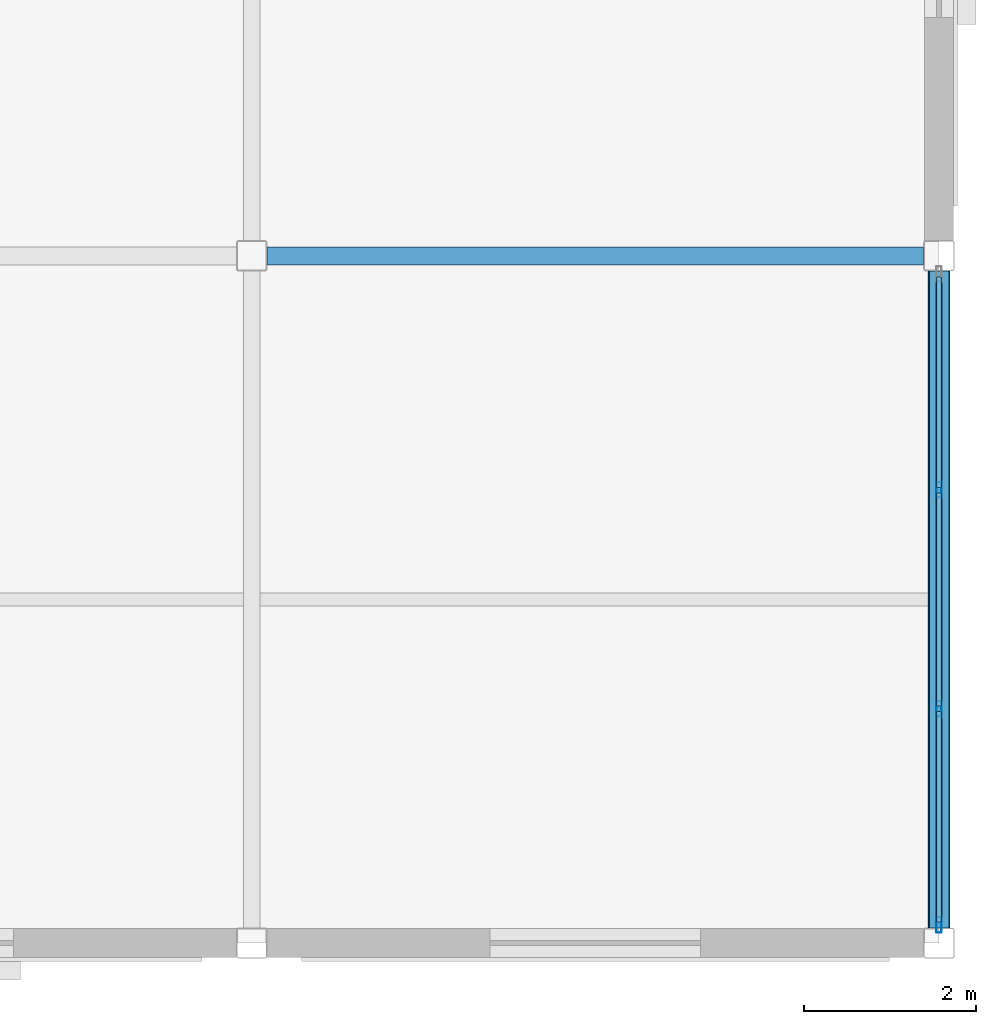
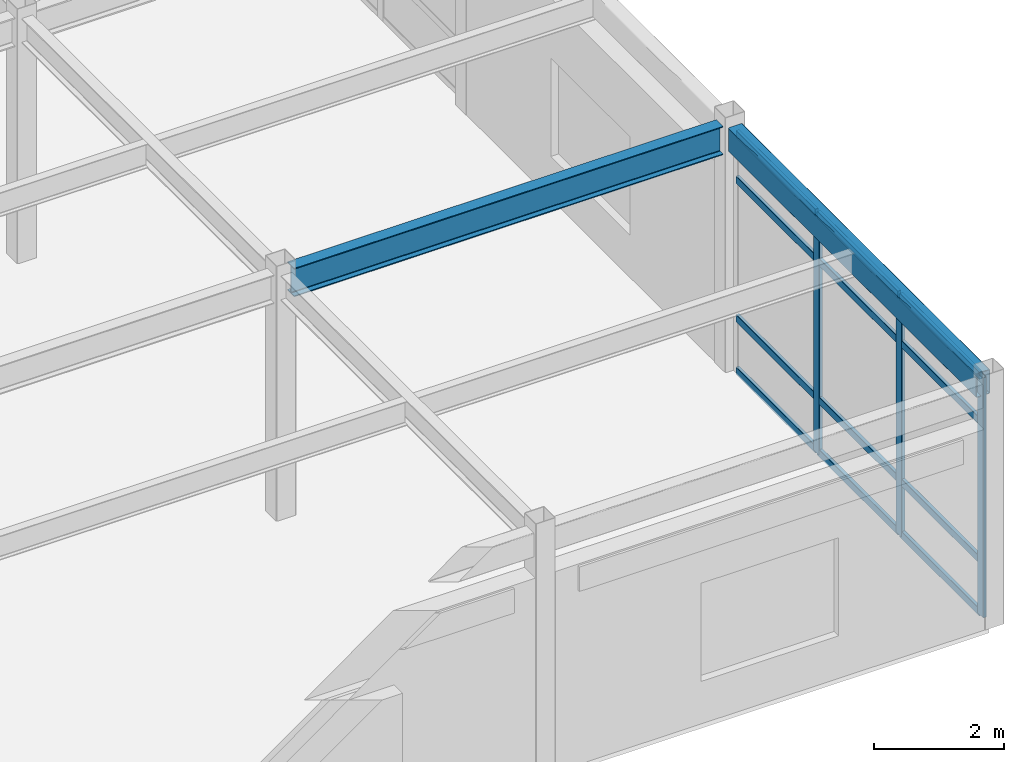
# One storey, part 68 of 117: 15 members, 2 beams, 1 element without a shape of its own.
"""IFC4 building model written with IfcOpenShell, lengths in metres."""

from ifc_helpers import new_model, si_unit, direction, frame, origin, origin_2d, place, context, subcontext, project, spatial, hollow_rectangle, i_section, extrude, material, material_profile, profile_set, type_object, element, aggregate, save


model = new_model("IFC4")

# Units and contexts
model_context = context("Model", 3, precision=1e-05, world=origin(), true_north=direction((0.0, 1.0)))
body_context = subcontext(model_context, "Body", "Model", "MODEL_VIEW")
ifc_project = project(units=[si_unit("LENGTHUNIT", "METRE"), si_unit("AREAUNIT", "SQUARE_METRE"), si_unit("VOLUMEUNIT", "CUBIC_METRE"), si_unit("PLANEANGLEUNIT", "RADIAN"), si_unit("MASSUNIT", "GRAM", prefix="KILO")], contexts=[model_context])

# Site, building, storey
site_placement = place(None, origin())
site = spatial("IfcSite", under=ifc_project, at=site_placement, CompositionType="ELEMENT")
building_placement = place(site_placement, origin())
building = spatial("IfcBuilding", under=site, at=building_placement, Name="Solmirada Galleria", CompositionType="ELEMENT")
storey_placement = place(building_placement, frame((0.0, 0.0, 5.60009765625)))
storey = spatial("IfcBuildingStorey", under=building, at=storey_placement, Name="L01", CompositionType="ELEMENT", Elevation=5.60009765625)

# Beams
ifc_material_1 = material(Name="Steel S355 / ASTM A992 Grade 50", Category="steel")
ifc_material_profile_1 = material_profile(ifc_material_1, i_section(OverallWidth=0.2099609375, OverallDepth=0.537109375, WebThickness=0.010986328125, FlangeThickness=0.017333984375, FilletRadius=0.014892578125, at=origin_2d()), Name="W21X68")
ifc_profile_set_1 = profile_set([ifc_material_profile_1], Name="Steel S355 / ASTM A992 Grade 50")
beam_type_1 = type_object("IfcBeamType", Name="BM-GIRD-W21B", PredefinedType="BEAM", material=ifc_profile_set_1)
beam_1_placement = place(storey_placement, frame((168.177978515625, 8.0, 4.331298828125), z_axis=(1.0, 0.0, 0.0), x_axis=(0.0, 1.0, 0.0)))
element("IfcBeam", 1, at=beam_1_placement, inside=storey, type_object=beam_type_1, Name="Primary beam L02 X(168..176, 8)", PredefinedType="BEAM", context=body_context, shape_type="SweptSolid", body=[
    extrude(i_section(OverallWidth=0.2099609375, OverallDepth=0.537109375, WebThickness=0.010986328125, FlangeThickness=0.017333984375, FilletRadius=0.014892578125, at=origin_2d()), origin(), (0.0, 0.0, 1.0), 7.64404296875),
])
ifc_material_2 = material(Name="Steel S355 / ASTM A500 Grade C", Category="steel")
ifc_material_profile_2 = material_profile(ifc_material_2, hollow_rectangle(XDim=0.25390625, YDim=0.45703125, WallThickness=0.01171875, InnerFilletRadius=0.01171875, OuterFilletRadius=0.023681640625, at=origin_2d()), Name="HSS18X10X1/2")
ifc_profile_set_2 = profile_set([ifc_material_profile_2], Name="Steel S355 / ASTM A500 Grade C")
beam_type_2 = type_object("IfcBeamType", Name="BM-SPAND-W18", PredefinedType="SPANDREL", material=ifc_profile_set_2)
beam_2_placement = place(storey_placement, frame((176.0, 0.177978515625, 4.371337890625), z_axis=(0.0, 1.0, 0.0), x_axis=(-1.0, 0.0, 0.0)))
element("IfcBeam", 2, at=beam_2_placement, inside=storey, type_object=beam_type_2, Name="Primary girder L02 Y(176, 0..8)", PredefinedType="SPANDREL", context=body_context, shape_type="SweptSolid", body=[
    extrude(hollow_rectangle(XDim=0.25390625, YDim=0.45703125, WallThickness=0.01171875, InnerFilletRadius=0.01171875, OuterFilletRadius=0.023681640625, at=origin_2d()), origin(), (0.0, 0.0, 1.0), 7.64404296875),
])

# Curtain wall, members
ifc_material_3 = material(Name="Impact-resistant low-E double glazing", Category="glass")
curtain_wall_type = type_object("IfcCurtainWallType", Name="CW-FZ5-L01-B3-L076", PredefinedType="NOTDEFINED", material=ifc_material_3)
curtain_wall_placement = place(storey_placement, origin())
curtain_wall = element("IfcCurtainWall", 3, at=curtain_wall_placement, inside=storey, type_object=curtain_wall_type, Name="Terrace and arcade storefront CW-L01-079", PredefinedType="NOTDEFINED")
ifc_material_4 = material(Name="Anodised aluminium framing", Category="aluminium")
ifc_material_profile_3 = material_profile(ifc_material_4, hollow_rectangle(XDim=0.06494140625, YDim=0.179931640625, WallThickness=0.00390625, InnerFilletRadius=0.00390625, OuterFilletRadius=0.008056640625, at=origin_2d()), Name="ALU-MULL-180X65")
ifc_profile_set_3 = profile_set([ifc_material_profile_3], Name="Anodised aluminium framing")
member_type_1 = type_object("IfcMemberType", Name="CW-MULL-180", PredefinedType="MULLION", material=ifc_profile_set_3)
member_1_placement = place(storey_placement, frame((176.0, 5.2734375, 0.0), z_axis=(0.0, 0.0, 1.0), x_axis=(1.0, 0.0, 0.0)))
member_1 = element("IfcMember", 4, at=member_1_placement, type_object=member_type_1, Name="CW18 mullion 2", PredefinedType="MULLION", context=body_context, shape_type="SweptSolid", body=[
    extrude(hollow_rectangle(XDim=0.06494140625, YDim=0.179931640625, WallThickness=0.00390625, InnerFilletRadius=0.00390625, OuterFilletRadius=0.008056640625, at=origin_2d()), origin(), (0.0, 0.0, 1.0), 4.52001953125),
])
member_2_placement = place(storey_placement, frame((176.0, 2.7265625, 0.0), z_axis=(0.0, 0.0, 1.0), x_axis=(1.0, 0.0, 0.0)))
member_2 = element("IfcMember", 5, at=member_2_placement, type_object=member_type_1, Name="CW18 mullion 3", PredefinedType="MULLION", context=body_context, shape_type="SweptSolid", body=[
    extrude(hollow_rectangle(XDim=0.06494140625, YDim=0.179931640625, WallThickness=0.00390625, InnerFilletRadius=0.00390625, OuterFilletRadius=0.008056640625, at=origin_2d()), origin(), (0.0, 0.0, 1.0), 4.52001953125),
])
member_3_placement = place(storey_placement, frame((176.0, 0.21240234375, 0.0), z_axis=(0.0, 0.0, 1.0), x_axis=(1.0, 0.0, 0.0)))
member_3 = element("IfcMember", 6, at=member_3_placement, type_object=member_type_1, Name="CW18 mullion 4", PredefinedType="MULLION", context=body_context, shape_type="SweptSolid", body=[
    extrude(hollow_rectangle(XDim=0.06494140625, YDim=0.179931640625, WallThickness=0.00390625, InnerFilletRadius=0.00390625, OuterFilletRadius=0.008056640625, at=origin_2d()), origin(), (0.0, 0.0, 1.0), 4.52001953125),
])
ifc_material_profile_4 = material_profile(ifc_material_4, hollow_rectangle(XDim=0.06494140625, YDim=0.139892578125, WallThickness=0.00341796875, InnerFilletRadius=0.00341796875, OuterFilletRadius=0.007080078125, at=origin_2d()), Name="ALU-TRAN-140X65")
ifc_profile_set_4 = profile_set([ifc_material_profile_4], Name="Anodised aluminium framing")
member_type_2 = type_object("IfcMemberType", Name="CW-TRAN-140", PredefinedType="USERDEFINED", material=ifc_profile_set_4)
member_4_placement = place(storey_placement, frame((176.0, 7.7548828125, 0.032470703125), z_axis=(0.0, -1.0, 0.0), x_axis=(1.0, 0.0, 0.0)))
member_4 = element("IfcMember", 7, at=member_4_placement, type_object=member_type_2, Name="CW18 transom 1.1", ObjectType="TRANSOM", PredefinedType="USERDEFINED", context=body_context, shape_type="SweptSolid", body=[
    extrude(hollow_rectangle(XDim=0.06494140625, YDim=0.139892578125, WallThickness=0.00341796875, InnerFilletRadius=0.00341796875, OuterFilletRadius=0.007080078125, at=origin_2d()), origin(), (0.0, 0.0, 1.0), 2.448974609375),
])
member_5_placement = place(storey_placement, frame((176.0, 7.7548828125, 1.02001953125), z_axis=(0.0, -1.0, 0.0), x_axis=(1.0, 0.0, 0.0)))
member_5 = element("IfcMember", 8, at=member_5_placement, type_object=member_type_2, Name="CW18 transom 1.2", ObjectType="TRANSOM", PredefinedType="USERDEFINED", context=body_context, shape_type="SweptSolid", body=[
    extrude(hollow_rectangle(XDim=0.06494140625, YDim=0.139892578125, WallThickness=0.00341796875, InnerFilletRadius=0.00341796875, OuterFilletRadius=0.007080078125, at=origin_2d()), origin(), (0.0, 0.0, 1.0), 2.448974609375),
])
member_6_placement = place(storey_placement, frame((176.0, 7.7548828125, 3.6298828125), z_axis=(0.0, -1.0, 0.0), x_axis=(1.0, 0.0, 0.0)))
member_6 = element("IfcMember", 9, at=member_6_placement, type_object=member_type_2, Name="CW18 transom 1.3", ObjectType="TRANSOM", PredefinedType="USERDEFINED", context=body_context, shape_type="SweptSolid", body=[
    extrude(hollow_rectangle(XDim=0.06494140625, YDim=0.139892578125, WallThickness=0.00341796875, InnerFilletRadius=0.00341796875, OuterFilletRadius=0.007080078125, at=origin_2d()), origin(), (0.0, 0.0, 1.0), 2.448974609375),
])
member_7_placement = place(storey_placement, frame((176.0, 7.7548828125, 4.4873046875), z_axis=(0.0, -1.0, 0.0), x_axis=(1.0, 0.0, 0.0)))
member_7 = element("IfcMember", 10, at=member_7_placement, type_object=member_type_2, Name="CW18 transom 1.4", ObjectType="TRANSOM", PredefinedType="USERDEFINED", context=body_context, shape_type="SweptSolid", body=[
    extrude(hollow_rectangle(XDim=0.06494140625, YDim=0.139892578125, WallThickness=0.00341796875, InnerFilletRadius=0.00341796875, OuterFilletRadius=0.007080078125, at=origin_2d()), origin(), (0.0, 0.0, 1.0), 2.448974609375),
])
member_8_placement = place(storey_placement, frame((176.0, 5.24072265625, 0.032470703125), z_axis=(0.0, -1.0, 0.0), x_axis=(1.0, 0.0, 0.0)))
member_8 = element("IfcMember", 11, at=member_8_placement, type_object=member_type_2, Name="CW18 transom 2.1", ObjectType="TRANSOM", PredefinedType="USERDEFINED", context=body_context, shape_type="SweptSolid", body=[
    extrude(hollow_rectangle(XDim=0.06494140625, YDim=0.139892578125, WallThickness=0.00341796875, InnerFilletRadius=0.00341796875, OuterFilletRadius=0.007080078125, at=origin_2d()), origin(), (0.0, 0.0, 1.0), 2.4814453125),
])
member_9_placement = place(storey_placement, frame((176.0, 5.24072265625, 1.02001953125), z_axis=(0.0, -1.0, 0.0), x_axis=(1.0, 0.0, 0.0)))
member_9 = element("IfcMember", 12, at=member_9_placement, type_object=member_type_2, Name="CW18 transom 2.2", ObjectType="TRANSOM", PredefinedType="USERDEFINED", context=body_context, shape_type="SweptSolid", body=[
    extrude(hollow_rectangle(XDim=0.06494140625, YDim=0.139892578125, WallThickness=0.00341796875, InnerFilletRadius=0.00341796875, OuterFilletRadius=0.007080078125, at=origin_2d()), origin(), (0.0, 0.0, 1.0), 2.4814453125),
])
member_10_placement = place(storey_placement, frame((176.0, 5.24072265625, 3.6298828125), z_axis=(0.0, -1.0, 0.0), x_axis=(1.0, 0.0, 0.0)))
member_10 = element("IfcMember", 13, at=member_10_placement, type_object=member_type_2, Name="CW18 transom 2.3", ObjectType="TRANSOM", PredefinedType="USERDEFINED", context=body_context, shape_type="SweptSolid", body=[
    extrude(hollow_rectangle(XDim=0.06494140625, YDim=0.139892578125, WallThickness=0.00341796875, InnerFilletRadius=0.00341796875, OuterFilletRadius=0.007080078125, at=origin_2d()), origin(), (0.0, 0.0, 1.0), 2.4814453125),
])
member_11_placement = place(storey_placement, frame((176.0, 5.24072265625, 4.4873046875), z_axis=(0.0, -1.0, 0.0), x_axis=(1.0, 0.0, 0.0)))
member_11 = element("IfcMember", 14, at=member_11_placement, type_object=member_type_2, Name="CW18 transom 2.4", ObjectType="TRANSOM", PredefinedType="USERDEFINED", context=body_context, shape_type="SweptSolid", body=[
    extrude(hollow_rectangle(XDim=0.06494140625, YDim=0.139892578125, WallThickness=0.00341796875, InnerFilletRadius=0.00341796875, OuterFilletRadius=0.007080078125, at=origin_2d()), origin(), (0.0, 0.0, 1.0), 2.4814453125),
])
member_12_placement = place(storey_placement, frame((176.0, 2.694091796875, 0.032470703125), z_axis=(0.0, -1.0, 0.0), x_axis=(1.0, 0.0, 0.0)))
member_12 = element("IfcMember", 15, at=member_12_placement, type_object=member_type_2, Name="CW18 transom 3.1", ObjectType="TRANSOM", PredefinedType="USERDEFINED", context=body_context, shape_type="SweptSolid", body=[
    extrude(hollow_rectangle(XDim=0.06494140625, YDim=0.139892578125, WallThickness=0.00341796875, InnerFilletRadius=0.00341796875, OuterFilletRadius=0.007080078125, at=origin_2d()), origin(), (0.0, 0.0, 1.0), 2.448974609375),
])
member_13_placement = place(storey_placement, frame((176.0, 2.694091796875, 1.02001953125), z_axis=(0.0, -1.0, 0.0), x_axis=(1.0, 0.0, 0.0)))
member_13 = element("IfcMember", 16, at=member_13_placement, type_object=member_type_2, Name="CW18 transom 3.2", ObjectType="TRANSOM", PredefinedType="USERDEFINED", context=body_context, shape_type="SweptSolid", body=[
    extrude(hollow_rectangle(XDim=0.06494140625, YDim=0.139892578125, WallThickness=0.00341796875, InnerFilletRadius=0.00341796875, OuterFilletRadius=0.007080078125, at=origin_2d()), origin(), (0.0, 0.0, 1.0), 2.448974609375),
])
member_14_placement = place(storey_placement, frame((176.0, 2.694091796875, 3.6298828125), z_axis=(0.0, -1.0, 0.0), x_axis=(1.0, 0.0, 0.0)))
member_14 = element("IfcMember", 17, at=member_14_placement, type_object=member_type_2, Name="CW18 transom 3.3", ObjectType="TRANSOM", PredefinedType="USERDEFINED", context=body_context, shape_type="SweptSolid", body=[
    extrude(hollow_rectangle(XDim=0.06494140625, YDim=0.139892578125, WallThickness=0.00341796875, InnerFilletRadius=0.00341796875, OuterFilletRadius=0.007080078125, at=origin_2d()), origin(), (0.0, 0.0, 1.0), 2.448974609375),
])
member_15_placement = place(storey_placement, frame((176.0, 2.694091796875, 4.4873046875), z_axis=(0.0, -1.0, 0.0), x_axis=(1.0, 0.0, 0.0)))
member_15 = element("IfcMember", 18, at=member_15_placement, type_object=member_type_2, Name="CW18 transom 3.4", ObjectType="TRANSOM", PredefinedType="USERDEFINED", context=body_context, shape_type="SweptSolid", body=[
    extrude(hollow_rectangle(XDim=0.06494140625, YDim=0.139892578125, WallThickness=0.00341796875, InnerFilletRadius=0.00341796875, OuterFilletRadius=0.007080078125, at=origin_2d()), origin(), (0.0, 0.0, 1.0), 2.448974609375),
])
aggregate(curtain_wall, [member_1, member_2, member_3, member_4, member_5, member_6, member_7, member_8, member_9, member_10, member_11, member_12, member_13, member_14, member_15])

save(model, "model.ifc")
